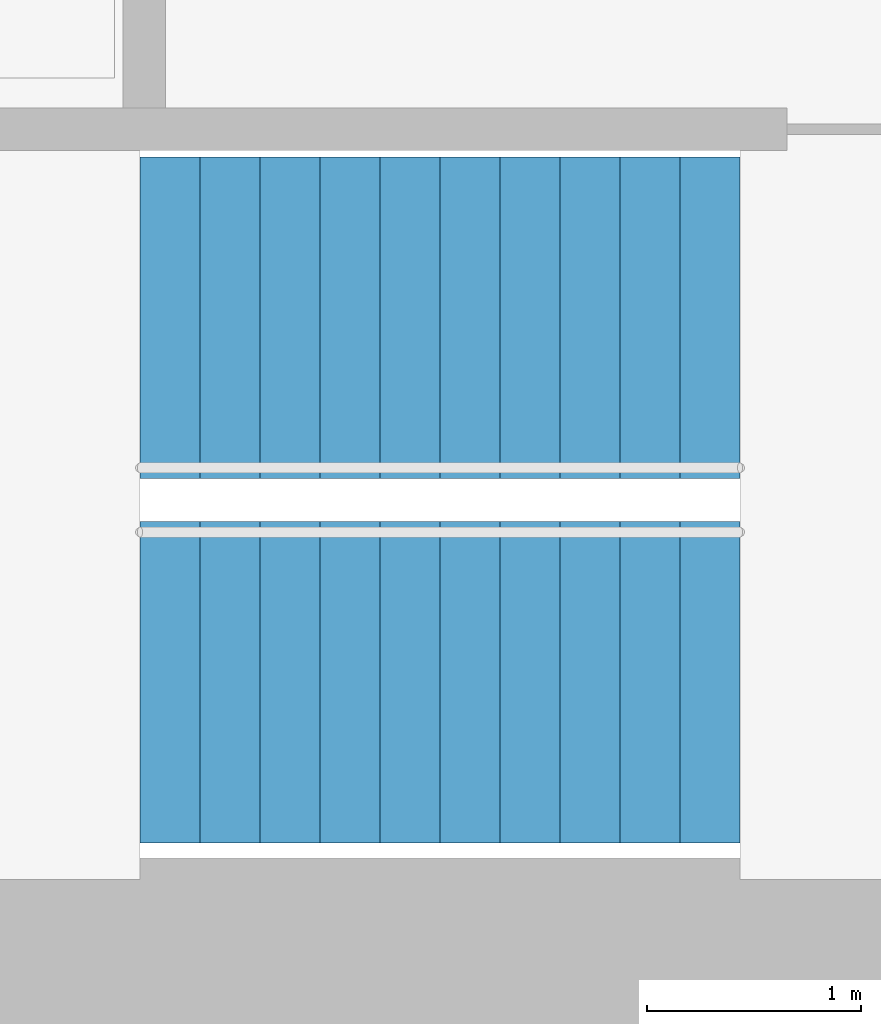
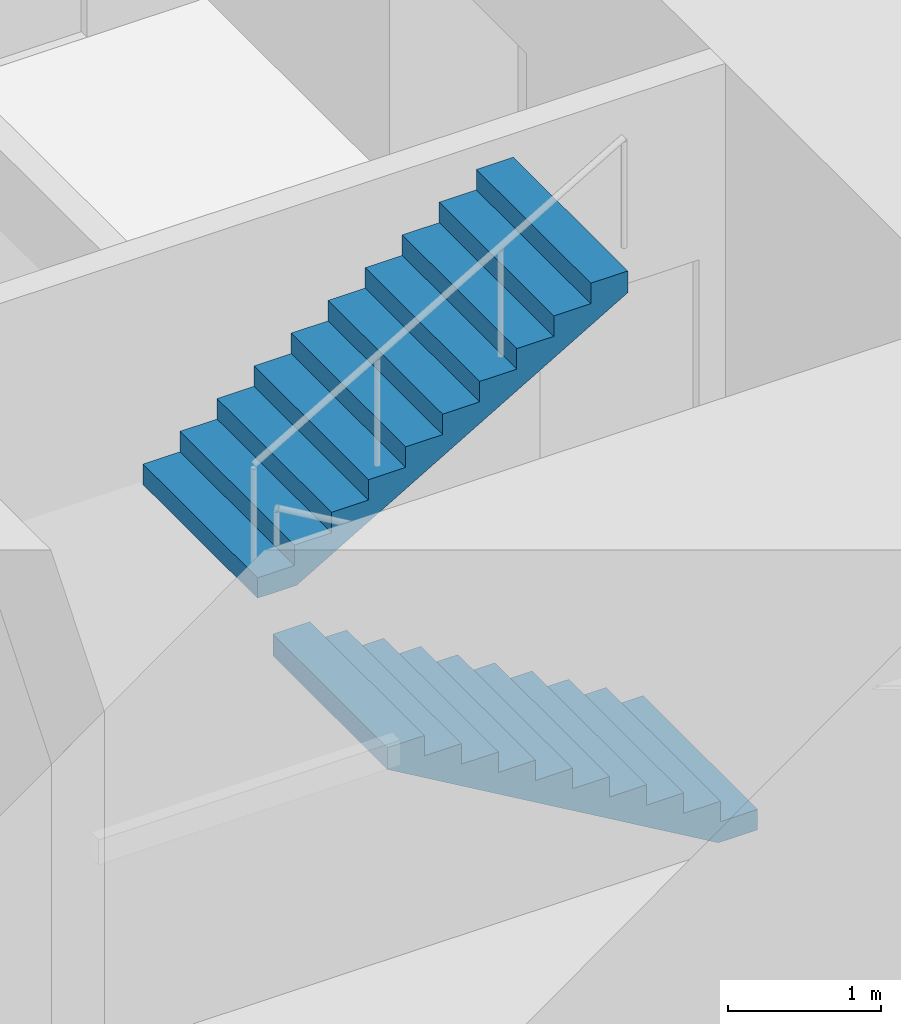
# One storey, part 14 of 15: 2 stair flights, 1 element without a shape of its own.
"""IFC4 building model written with IfcOpenShell, lengths in metres."""

from ifc_helpers import new_model, si_unit, direction, frame, origin, place, context, subcontext, project, spatial, triangles, material, type_object, element, aggregate, save


model = new_model("IFC4")

# Units and contexts
model_context = context("Model", 3, precision=1e-05, world=origin(), true_north=direction((0.0, 1.0)))
body_context = subcontext(model_context, "Body", "Model", "MODEL_VIEW")
ifc_project = project(units=[si_unit("LENGTHUNIT", "METRE"), si_unit("AREAUNIT", "SQUARE_METRE"), si_unit("VOLUMEUNIT", "CUBIC_METRE"), si_unit("PLANEANGLEUNIT", "RADIAN"), si_unit("MASSUNIT", "GRAM", prefix="KILO")], contexts=[model_context])

# Site, building, storey
site_placement = place(None, origin())
site = spatial("IfcSite", under=ifc_project, at=site_placement, CompositionType="ELEMENT")
building_placement = place(site_placement, origin())
building = spatial("IfcBuilding", under=site, at=building_placement, Name="Lantaw Convention Tower", CompositionType="ELEMENT")
storey_placement = place(building_placement, frame((0.0, 0.0, 44.199951171875)))
storey = spatial("IfcBuildingStorey", under=building, at=storey_placement, Name="L08", CompositionType="ELEMENT", Elevation=44.199951171875)

# Stair, stair flights
ifc_material = material(Name="Concrete C35/45", Category="concrete")
stair_type = type_object("IfcStairType", Name="Exit stair 1500 riser 163.64 in 2 flights", PredefinedType="HALF_TURN_STAIR", material=ifc_material)
stair_placement = place(storey_placement, origin())
stair = element("IfcStair", 1, at=stair_placement, inside=storey, type_object=stair_type, Name="Exit stair S2 L08", PredefinedType="HALF_TURN_STAIR")
stair_flight_type = type_object("IfcStairFlightType", Name="Stair flight 1500 riser 163.64", PredefinedType="STRAIGHT", material=ifc_material)
stair_flight_1_placement = place(storey_placement, frame((10.580078125, -5.97998046875, 0.0), z_axis=(0.0, 0.0, 1.0), x_axis=(-1.0, 0.0, 0.0)))
stair_flight_1 = element("IfcStairFlight", 2, at=stair_flight_1_placement, type_object=stair_flight_type, Name="S2 flight 1", NumberOfRisers=11, NumberOfTreads=10, PredefinedType="STRAIGHT", RiserHeight=0.163636364, TreadLength=0.28, context=body_context, shape_type="Tessellation", body=[
    triangles([(0.0, 0.75, 0.0), (0.0, 0.75, 0.163636364), (0.28, 0.75, 0.0), (0.28, 0.75, 0.163636364), (0.28, 0.75, 0.327272728), (0.2970904571225277, 0.75, 0.0), (0.2970904571225277, 0.75, 0.327272728), (0.56, 0.75, 0.1536484344906131), (0.56, 0.75, 0.327272728), (0.56, 0.75, 0.490909092), (0.8400000000000001, 0.75, 0.3172847984906131), (0.8400000000000001, 0.75, 0.490909092), (0.8400000000000001, 0.75, 0.654545456), (1.12, 0.75, 0.4809211624906131), (1.12, 0.75, 0.654545456), (1.12, 0.75, 0.8181818200000001), (1.4000000000000001, 0.75, 0.6445575264906132), (1.4000000000000001, 0.75, 0.8181818200000001), (1.4000000000000001, 0.75, 0.981818184), (1.6800000000000002, 0.75, 0.8081938904906131), (1.6800000000000002, 0.75, 0.981818184), (1.6800000000000002, 0.75, 1.145454548), (1.9600000000000002, 0.75, 0.9718302544906131), (1.9600000000000002, 0.75, 1.145454548), (1.9600000000000002, 0.75, 1.309090912), (2.24, 0.75, 1.135466618490613), (2.24, 0.75, 1.309090912), (2.24, 0.75, 1.472727276), (2.5200000000000005, 0.75, 1.2991029824906133), (2.5200000000000005, 0.75, 1.472727276), (2.5200000000000005, 0.75, 1.6363636400000001), (2.8000000000000003, 0.75, 1.462739346490613), (2.8000000000000003, 0.75, 1.6363636400000001), (0.0, -0.75, 0.0), (0.0, -0.75, 0.163636364), (0.28, -0.75, 0.0), (0.28, -0.75, 0.163636364), (0.28, -0.75, 0.327272728), (0.2970904571225277, -0.75, 0.0), (0.2970904571225277, -0.75, 0.327272728), (0.56, -0.75, 0.1536484344906131), (0.56, -0.75, 0.327272728), (0.56, -0.75, 0.490909092), (0.8400000000000001, -0.75, 0.3172847984906131), (0.8400000000000001, -0.75, 0.490909092), (0.8400000000000001, -0.75, 0.654545456), (1.12, -0.75, 0.4809211624906131), (1.12, -0.75, 0.654545456), (1.12, -0.75, 0.8181818200000001), (1.4000000000000001, -0.75, 0.6445575264906132), (1.4000000000000001, -0.75, 0.8181818200000001), (1.4000000000000001, -0.75, 0.981818184), (1.6800000000000002, -0.75, 0.8081938904906131), (1.6800000000000002, -0.75, 0.981818184), (1.6800000000000002, -0.75, 1.145454548), (1.9600000000000002, -0.75, 0.9718302544906131), (1.9600000000000002, -0.75, 1.145454548), (1.9600000000000002, -0.75, 1.309090912), (2.24, -0.75, 1.135466618490613), (2.24, -0.75, 1.309090912), (2.24, -0.75, 1.472727276), (2.5200000000000005, -0.75, 1.2991029824906133), (2.5200000000000005, -0.75, 1.472727276), (2.5200000000000005, -0.75, 1.6363636400000001), (2.8000000000000003, -0.75, 1.462739346490613), (2.8000000000000003, -0.75, 1.6363636400000001), (0.0, 0.15000000000000002, 0.163636364), (0.0, 0.15000000000000002, 0.0), (0.0, 0.0, 0.163636364), (0.0, 0.0, 0.0), (0.0, -0.15000000000000002, 0.163636364), (0.0, -0.15000000000000002, 0.0), (0.28, 0.15000000000000002, 0.327272728), (0.28, 0.15000000000000002, 0.163636364), (0.28, 0.0, 0.327272728), (0.28, 0.0, 0.163636364), (0.28, -0.15000000000000002, 0.327272728), (0.28, -0.15000000000000002, 0.163636364), (0.56, 0.15000000000000002, 0.490909092), (0.56, 0.15000000000000002, 0.327272728), (0.56, 0.0, 0.490909092), (0.56, 0.0, 0.327272728), (0.56, -0.15000000000000002, 0.490909092), (0.56, -0.15000000000000002, 0.327272728), (0.8400000000000001, 0.15000000000000002, 0.654545456), (0.8400000000000001, 0.15000000000000002, 0.490909092), (0.8400000000000001, 0.0, 0.654545456), (0.8400000000000001, 0.0, 0.490909092), (0.8400000000000001, -0.15000000000000002, 0.654545456), (0.8400000000000001, -0.15000000000000002, 0.490909092), (1.12, 0.15000000000000002, 0.8181818200000001), (1.12, 0.15000000000000002, 0.654545456), (1.12, 0.0, 0.8181818200000001), (1.12, 0.0, 0.654545456), (1.12, -0.15000000000000002, 0.8181818200000001), (1.12, -0.15000000000000002, 0.654545456), (1.4000000000000001, 0.15000000000000002, 0.981818184), (1.4000000000000001, 0.15000000000000002, 0.8181818200000001), (1.4000000000000001, 0.0, 0.981818184), (1.4000000000000001, 0.0, 0.8181818200000001), (1.4000000000000001, -0.15000000000000002, 0.981818184), (1.4000000000000001, -0.15000000000000002, 0.8181818200000001), (1.6800000000000002, 0.15000000000000002, 1.145454548), (1.6800000000000002, 0.15000000000000002, 0.981818184), (1.6800000000000002, 0.0, 1.145454548), (1.6800000000000002, 0.0, 0.981818184), (1.6800000000000002, -0.15000000000000002, 1.145454548), (1.6800000000000002, -0.15000000000000002, 0.981818184), (1.9600000000000002, 0.15000000000000002, 1.309090912), (1.9600000000000002, 0.15000000000000002, 1.145454548), (1.9600000000000002, 0.0, 1.309090912), (1.9600000000000002, 0.0, 1.145454548), (1.9600000000000002, -0.15000000000000002, 1.309090912), (1.9600000000000002, -0.15000000000000002, 1.145454548), (2.24, 0.15000000000000002, 1.472727276), (2.24, 0.15000000000000002, 1.309090912), (2.24, 0.0, 1.472727276), (2.24, 0.0, 1.309090912), (2.24, -0.15000000000000002, 1.472727276), (2.24, -0.15000000000000002, 1.309090912), (2.5200000000000005, 0.15000000000000002, 1.6363636400000001), (2.5200000000000005, 0.15000000000000002, 1.472727276), (2.5200000000000005, 0.0, 1.6363636400000001), (2.5200000000000005, 0.0, 1.472727276), (2.5200000000000005, -0.15000000000000002, 1.6363636400000001), (2.5200000000000005, -0.15000000000000002, 1.472727276), (0.2970904571225277, 0.15000000000000002, 0.327272728), (0.2970904571225277, 0.0, 0.327272728), (0.2970904571225277, -0.15000000000000002, 0.327272728), (2.8000000000000003, 0.15000000000000002, 1.6363636400000001), (2.8000000000000003, 0.0, 1.6363636400000001), (2.8000000000000003, -0.15000000000000002, 1.6363636400000001), (2.8000000000000003, 0.15000000000000002, 1.462739346490613), (2.8000000000000003, 0.0, 1.462739346490613), (2.8000000000000003, -0.15000000000000002, 1.462739346490613), (2.5200000000000005, 0.15000000000000002, 1.2991029824906133), (2.5200000000000005, 0.0, 1.2991029824906133), (2.5200000000000005, -0.15000000000000002, 1.2991029824906133), (2.24, 0.15000000000000002, 1.135466618490613), (2.24, 0.0, 1.135466618490613), (2.24, -0.15000000000000002, 1.135466618490613), (1.9600000000000002, 0.15000000000000002, 0.9718302544906131), (1.9600000000000002, 0.0, 0.9718302544906131), (1.9600000000000002, -0.15000000000000002, 0.9718302544906131), (1.6800000000000002, 0.15000000000000002, 0.8081938904906131), (1.6800000000000002, 0.0, 0.8081938904906131), (1.6800000000000002, -0.15000000000000002, 0.8081938904906131), (1.4000000000000001, 0.15000000000000002, 0.6445575264906132), (1.4000000000000001, 0.0, 0.6445575264906132), (1.4000000000000001, -0.15000000000000002, 0.6445575264906132), (1.12, 0.15000000000000002, 0.4809211624906131), (1.12, 0.0, 0.4809211624906131), (1.12, -0.15000000000000002, 0.4809211624906131), (0.8400000000000001, 0.15000000000000002, 0.3172847984906131), (0.8400000000000001, 0.0, 0.3172847984906131), (0.8400000000000001, -0.15000000000000002, 0.3172847984906131), (0.56, 0.15000000000000002, 0.1536484344906131), (0.56, 0.0, 0.1536484344906131), (0.56, -0.15000000000000002, 0.1536484344906131), (0.2970904571225277, 0.15000000000000002, 0.0), (0.2970904571225277, 0.0, 0.0), (0.2970904571225277, -0.15000000000000002, 0.0), (0.28, 0.15000000000000002, 0.0), (0.28, 0.0, 0.0), (0.28, -0.15000000000000002, 0.0)], [[1, 4, 3], [1, 2, 4], [3, 4, 6], [4, 7, 6], [4, 5, 7], [6, 9, 8], [6, 7, 9], [8, 9, 11], [9, 12, 11], [9, 10, 12], [11, 12, 14], [12, 15, 14], [12, 13, 15], [14, 15, 17], [15, 18, 17], [15, 16, 18], [17, 18, 20], [18, 21, 20], [18, 19, 21], [20, 21, 23], [21, 24, 23], [21, 22, 24], [23, 24, 26], [24, 27, 26], [24, 25, 27], [26, 27, 29], [27, 30, 29], [27, 28, 30], [29, 30, 32], [30, 33, 32], [30, 31, 33], [34, 36, 37], [34, 37, 35], [36, 39, 37], [37, 39, 40], [37, 40, 38], [39, 41, 42], [39, 42, 40], [41, 44, 42], [42, 44, 45], [42, 45, 43], [44, 47, 45], [45, 47, 48], [45, 48, 46], [47, 50, 48], [48, 50, 51], [48, 51, 49], [50, 53, 51], [51, 53, 54], [51, 54, 52], [53, 56, 54], [54, 56, 57], [54, 57, 55], [56, 59, 57], [57, 59, 60], [57, 60, 58], [59, 62, 60], [60, 62, 63], [60, 63, 61], [62, 65, 63], [63, 65, 66], [63, 66, 64], [1, 67, 2], [1, 68, 67], [68, 69, 67], [68, 70, 69], [70, 71, 69], [70, 72, 71], [72, 35, 71], [72, 34, 35], [4, 73, 5], [4, 74, 73], [74, 75, 73], [74, 76, 75], [76, 77, 75], [76, 78, 77], [78, 38, 77], [78, 37, 38], [9, 79, 10], [9, 80, 79], [80, 81, 79], [80, 82, 81], [82, 83, 81], [82, 84, 83], [84, 43, 83], [84, 42, 43], [12, 85, 13], [12, 86, 85], [86, 87, 85], [86, 88, 87], [88, 89, 87], [88, 90, 89], [90, 46, 89], [90, 45, 46], [15, 91, 16], [15, 92, 91], [92, 93, 91], [92, 94, 93], [94, 95, 93], [94, 96, 95], [96, 49, 95], [96, 48, 49], [18, 97, 19], [18, 98, 97], [98, 99, 97], [98, 100, 99], [100, 101, 99], [100, 102, 101], [102, 52, 101], [102, 51, 52], [21, 103, 22], [21, 104, 103], [104, 105, 103], [104, 106, 105], [106, 107, 105], [106, 108, 107], [108, 55, 107], [108, 54, 55], [24, 109, 25], [24, 110, 109], [110, 111, 109], [110, 112, 111], [112, 113, 111], [112, 114, 113], [114, 58, 113], [114, 57, 58], [27, 115, 28], [27, 116, 115], [116, 117, 115], [116, 118, 117], [118, 119, 117], [118, 120, 119], [120, 61, 119], [120, 60, 61], [30, 121, 31], [30, 122, 121], [122, 123, 121], [122, 124, 123], [124, 125, 123], [124, 126, 125], [126, 64, 125], [126, 63, 64], [2, 74, 4], [2, 67, 74], [67, 76, 74], [67, 69, 76], [69, 78, 76], [69, 71, 78], [71, 37, 78], [71, 35, 37], [5, 127, 7], [5, 73, 127], [73, 128, 127], [73, 75, 128], [75, 129, 128], [75, 77, 129], [77, 40, 129], [77, 38, 40], [7, 80, 9], [7, 127, 80], [127, 82, 80], [127, 128, 82], [128, 84, 82], [128, 129, 84], [129, 42, 84], [129, 40, 42], [10, 86, 12], [10, 79, 86], [79, 88, 86], [79, 81, 88], [81, 90, 88], [81, 83, 90], [83, 45, 90], [83, 43, 45], [13, 92, 15], [13, 85, 92], [85, 94, 92], [85, 87, 94], [87, 96, 94], [87, 89, 96], [89, 48, 96], [89, 46, 48], [16, 98, 18], [16, 91, 98], [91, 100, 98], [91, 93, 100], [93, 102, 100], [93, 95, 102], [95, 51, 102], [95, 49, 51], [19, 104, 21], [19, 97, 104], [97, 106, 104], [97, 99, 106], [99, 108, 106], [99, 101, 108], [101, 54, 108], [101, 52, 54], [22, 110, 24], [22, 103, 110], [103, 112, 110], [103, 105, 112], [105, 114, 112], [105, 107, 114], [107, 57, 114], [107, 55, 57], [25, 116, 27], [25, 109, 116], [109, 118, 116], [109, 111, 118], [111, 120, 118], [111, 113, 120], [113, 60, 120], [113, 58, 60], [28, 122, 30], [28, 115, 122], [115, 124, 122], [115, 117, 124], [117, 126, 124], [117, 119, 126], [119, 63, 126], [119, 61, 63], [31, 130, 33], [31, 121, 130], [121, 131, 130], [121, 123, 131], [123, 132, 131], [123, 125, 132], [125, 66, 132], [125, 64, 66], [33, 133, 32], [33, 130, 133], [130, 134, 133], [130, 131, 134], [131, 135, 134], [131, 132, 135], [132, 65, 135], [132, 66, 65], [32, 136, 29], [32, 133, 136], [133, 137, 136], [133, 134, 137], [134, 138, 137], [134, 135, 138], [135, 62, 138], [135, 65, 62], [29, 139, 26], [29, 136, 139], [136, 140, 139], [136, 137, 140], [137, 141, 140], [137, 138, 141], [138, 59, 141], [138, 62, 59], [26, 142, 23], [26, 139, 142], [139, 143, 142], [139, 140, 143], [140, 144, 143], [140, 141, 144], [141, 56, 144], [141, 59, 56], [23, 145, 20], [23, 142, 145], [142, 146, 145], [142, 143, 146], [143, 147, 146], [143, 144, 147], [144, 53, 147], [144, 56, 53], [20, 148, 17], [20, 145, 148], [145, 149, 148], [145, 146, 149], [146, 150, 149], [146, 147, 150], [147, 50, 150], [147, 53, 50], [17, 151, 14], [17, 148, 151], [148, 152, 151], [148, 149, 152], [149, 153, 152], [149, 150, 153], [150, 47, 153], [150, 50, 47], [14, 154, 11], [14, 151, 154], [151, 155, 154], [151, 152, 155], [152, 156, 155], [152, 153, 156], [153, 44, 156], [153, 47, 44], [11, 157, 8], [11, 154, 157], [154, 158, 157], [154, 155, 158], [155, 159, 158], [155, 156, 159], [156, 41, 159], [156, 44, 41], [8, 160, 6], [8, 157, 160], [157, 161, 160], [157, 158, 161], [158, 162, 161], [158, 159, 162], [159, 39, 162], [159, 41, 39], [6, 163, 3], [6, 160, 163], [160, 164, 163], [160, 161, 164], [161, 165, 164], [161, 162, 165], [162, 36, 165], [162, 39, 36], [3, 68, 1], [3, 163, 68], [163, 70, 68], [163, 164, 70], [164, 72, 70], [164, 165, 72], [165, 34, 72], [165, 36, 34]], closed=True),
])
stair_flight_2_placement = place(storey_placement, frame((7.780029296875, -4.280029296875, 1.800048828125), z_axis=(0.0, 0.0, 1.0), x_axis=(1.0, 0.0, 0.0)))
stair_flight_2 = element("IfcStairFlight", 3, at=stair_flight_2_placement, type_object=stair_flight_type, Name="S2 flight 2", NumberOfRisers=11, NumberOfTreads=10, PredefinedType="STRAIGHT", RiserHeight=0.163636364, TreadLength=0.28, context=body_context, shape_type="Tessellation", body=[
    triangles([(0.0, 0.75, 0.0), (0.0, 0.75, 0.163636364), (0.28, 0.75, 0.0), (0.28, 0.75, 0.163636364), (0.28, 0.75, 0.327272728), (0.2970904571225277, 0.75, 0.0), (0.2970904571225277, 0.75, 0.327272728), (0.56, 0.75, 0.1536484344906131), (0.56, 0.75, 0.327272728), (0.56, 0.75, 0.490909092), (0.8400000000000001, 0.75, 0.3172847984906131), (0.8400000000000001, 0.75, 0.490909092), (0.8400000000000001, 0.75, 0.654545456), (1.12, 0.75, 0.4809211624906131), (1.12, 0.75, 0.654545456), (1.12, 0.75, 0.8181818200000001), (1.4000000000000001, 0.75, 0.6445575264906132), (1.4000000000000001, 0.75, 0.8181818200000001), (1.4000000000000001, 0.75, 0.981818184), (1.6800000000000002, 0.75, 0.8081938904906131), (1.6800000000000002, 0.75, 0.981818184), (1.6800000000000002, 0.75, 1.145454548), (1.9600000000000002, 0.75, 0.9718302544906131), (1.9600000000000002, 0.75, 1.145454548), (1.9600000000000002, 0.75, 1.309090912), (2.24, 0.75, 1.135466618490613), (2.24, 0.75, 1.309090912), (2.24, 0.75, 1.472727276), (2.5200000000000005, 0.75, 1.2991029824906133), (2.5200000000000005, 0.75, 1.472727276), (2.5200000000000005, 0.75, 1.6363636400000001), (2.8000000000000003, 0.75, 1.462739346490613), (2.8000000000000003, 0.75, 1.6363636400000001), (0.0, -0.75, 0.0), (0.0, -0.75, 0.163636364), (0.28, -0.75, 0.0), (0.28, -0.75, 0.163636364), (0.28, -0.75, 0.327272728), (0.2970904571225277, -0.75, 0.0), (0.2970904571225277, -0.75, 0.327272728), (0.56, -0.75, 0.1536484344906131), (0.56, -0.75, 0.327272728), (0.56, -0.75, 0.490909092), (0.8400000000000001, -0.75, 0.3172847984906131), (0.8400000000000001, -0.75, 0.490909092), (0.8400000000000001, -0.75, 0.654545456), (1.12, -0.75, 0.4809211624906131), (1.12, -0.75, 0.654545456), (1.12, -0.75, 0.8181818200000001), (1.4000000000000001, -0.75, 0.6445575264906132), (1.4000000000000001, -0.75, 0.8181818200000001), (1.4000000000000001, -0.75, 0.981818184), (1.6800000000000002, -0.75, 0.8081938904906131), (1.6800000000000002, -0.75, 0.981818184), (1.6800000000000002, -0.75, 1.145454548), (1.9600000000000002, -0.75, 0.9718302544906131), (1.9600000000000002, -0.75, 1.145454548), (1.9600000000000002, -0.75, 1.309090912), (2.24, -0.75, 1.135466618490613), (2.24, -0.75, 1.309090912), (2.24, -0.75, 1.472727276), (2.5200000000000005, -0.75, 1.2991029824906133), (2.5200000000000005, -0.75, 1.472727276), (2.5200000000000005, -0.75, 1.6363636400000001), (2.8000000000000003, -0.75, 1.462739346490613), (2.8000000000000003, -0.75, 1.6363636400000001), (0.0, 0.15000000000000002, 0.163636364), (0.0, 0.15000000000000002, 0.0), (0.0, 0.0, 0.163636364), (0.0, 0.0, 0.0), (0.0, -0.15000000000000002, 0.163636364), (0.0, -0.15000000000000002, 0.0), (0.28, 0.15000000000000002, 0.327272728), (0.28, 0.15000000000000002, 0.163636364), (0.28, 0.0, 0.327272728), (0.28, 0.0, 0.163636364), (0.28, -0.15000000000000002, 0.327272728), (0.28, -0.15000000000000002, 0.163636364), (0.56, 0.15000000000000002, 0.490909092), (0.56, 0.15000000000000002, 0.327272728), (0.56, 0.0, 0.490909092), (0.56, 0.0, 0.327272728), (0.56, -0.15000000000000002, 0.490909092), (0.56, -0.15000000000000002, 0.327272728), (0.8400000000000001, 0.15000000000000002, 0.654545456), (0.8400000000000001, 0.15000000000000002, 0.490909092), (0.8400000000000001, 0.0, 0.654545456), (0.8400000000000001, 0.0, 0.490909092), (0.8400000000000001, -0.15000000000000002, 0.654545456), (0.8400000000000001, -0.15000000000000002, 0.490909092), (1.12, 0.15000000000000002, 0.8181818200000001), (1.12, 0.15000000000000002, 0.654545456), (1.12, 0.0, 0.8181818200000001), (1.12, 0.0, 0.654545456), (1.12, -0.15000000000000002, 0.8181818200000001), (1.12, -0.15000000000000002, 0.654545456), (1.4000000000000001, 0.15000000000000002, 0.981818184), (1.4000000000000001, 0.15000000000000002, 0.8181818200000001), (1.4000000000000001, 0.0, 0.981818184), (1.4000000000000001, 0.0, 0.8181818200000001), (1.4000000000000001, -0.15000000000000002, 0.981818184), (1.4000000000000001, -0.15000000000000002, 0.8181818200000001), (1.6800000000000002, 0.15000000000000002, 1.145454548), (1.6800000000000002, 0.15000000000000002, 0.981818184), (1.6800000000000002, 0.0, 1.145454548), (1.6800000000000002, 0.0, 0.981818184), (1.6800000000000002, -0.15000000000000002, 1.145454548), (1.6800000000000002, -0.15000000000000002, 0.981818184), (1.9600000000000002, 0.15000000000000002, 1.309090912), (1.9600000000000002, 0.15000000000000002, 1.145454548), (1.9600000000000002, 0.0, 1.309090912), (1.9600000000000002, 0.0, 1.145454548), (1.9600000000000002, -0.15000000000000002, 1.309090912), (1.9600000000000002, -0.15000000000000002, 1.145454548), (2.24, 0.15000000000000002, 1.472727276), (2.24, 0.15000000000000002, 1.309090912), (2.24, 0.0, 1.472727276), (2.24, 0.0, 1.309090912), (2.24, -0.15000000000000002, 1.472727276), (2.24, -0.15000000000000002, 1.309090912), (2.5200000000000005, 0.15000000000000002, 1.6363636400000001), (2.5200000000000005, 0.15000000000000002, 1.472727276), (2.5200000000000005, 0.0, 1.6363636400000001), (2.5200000000000005, 0.0, 1.472727276), (2.5200000000000005, -0.15000000000000002, 1.6363636400000001), (2.5200000000000005, -0.15000000000000002, 1.472727276), (0.2970904571225277, 0.15000000000000002, 0.327272728), (0.2970904571225277, 0.0, 0.327272728), (0.2970904571225277, -0.15000000000000002, 0.327272728), (2.8000000000000003, 0.15000000000000002, 1.6363636400000001), (2.8000000000000003, 0.0, 1.6363636400000001), (2.8000000000000003, -0.15000000000000002, 1.6363636400000001), (2.8000000000000003, 0.15000000000000002, 1.462739346490613), (2.8000000000000003, 0.0, 1.462739346490613), (2.8000000000000003, -0.15000000000000002, 1.462739346490613), (2.5200000000000005, 0.15000000000000002, 1.2991029824906133), (2.5200000000000005, 0.0, 1.2991029824906133), (2.5200000000000005, -0.15000000000000002, 1.2991029824906133), (2.24, 0.15000000000000002, 1.135466618490613), (2.24, 0.0, 1.135466618490613), (2.24, -0.15000000000000002, 1.135466618490613), (1.9600000000000002, 0.15000000000000002, 0.9718302544906131), (1.9600000000000002, 0.0, 0.9718302544906131), (1.9600000000000002, -0.15000000000000002, 0.9718302544906131), (1.6800000000000002, 0.15000000000000002, 0.8081938904906131), (1.6800000000000002, 0.0, 0.8081938904906131), (1.6800000000000002, -0.15000000000000002, 0.8081938904906131), (1.4000000000000001, 0.15000000000000002, 0.6445575264906132), (1.4000000000000001, 0.0, 0.6445575264906132), (1.4000000000000001, -0.15000000000000002, 0.6445575264906132), (1.12, 0.15000000000000002, 0.4809211624906131), (1.12, 0.0, 0.4809211624906131), (1.12, -0.15000000000000002, 0.4809211624906131), (0.8400000000000001, 0.15000000000000002, 0.3172847984906131), (0.8400000000000001, 0.0, 0.3172847984906131), (0.8400000000000001, -0.15000000000000002, 0.3172847984906131), (0.56, 0.15000000000000002, 0.1536484344906131), (0.56, 0.0, 0.1536484344906131), (0.56, -0.15000000000000002, 0.1536484344906131), (0.2970904571225277, 0.15000000000000002, 0.0), (0.2970904571225277, 0.0, 0.0), (0.2970904571225277, -0.15000000000000002, 0.0), (0.28, 0.15000000000000002, 0.0), (0.28, 0.0, 0.0), (0.28, -0.15000000000000002, 0.0)], [[1, 4, 3], [1, 2, 4], [3, 4, 6], [4, 7, 6], [4, 5, 7], [6, 9, 8], [6, 7, 9], [8, 9, 11], [9, 12, 11], [9, 10, 12], [11, 12, 14], [12, 15, 14], [12, 13, 15], [14, 15, 17], [15, 18, 17], [15, 16, 18], [17, 18, 20], [18, 21, 20], [18, 19, 21], [20, 21, 23], [21, 24, 23], [21, 22, 24], [23, 24, 26], [24, 27, 26], [24, 25, 27], [26, 27, 29], [27, 30, 29], [27, 28, 30], [29, 30, 32], [30, 33, 32], [30, 31, 33], [34, 36, 37], [34, 37, 35], [36, 39, 37], [37, 39, 40], [37, 40, 38], [39, 41, 42], [39, 42, 40], [41, 44, 42], [42, 44, 45], [42, 45, 43], [44, 47, 45], [45, 47, 48], [45, 48, 46], [47, 50, 48], [48, 50, 51], [48, 51, 49], [50, 53, 51], [51, 53, 54], [51, 54, 52], [53, 56, 54], [54, 56, 57], [54, 57, 55], [56, 59, 57], [57, 59, 60], [57, 60, 58], [59, 62, 60], [60, 62, 63], [60, 63, 61], [62, 65, 63], [63, 65, 66], [63, 66, 64], [1, 67, 2], [1, 68, 67], [68, 69, 67], [68, 70, 69], [70, 71, 69], [70, 72, 71], [72, 35, 71], [72, 34, 35], [4, 73, 5], [4, 74, 73], [74, 75, 73], [74, 76, 75], [76, 77, 75], [76, 78, 77], [78, 38, 77], [78, 37, 38], [9, 79, 10], [9, 80, 79], [80, 81, 79], [80, 82, 81], [82, 83, 81], [82, 84, 83], [84, 43, 83], [84, 42, 43], [12, 85, 13], [12, 86, 85], [86, 87, 85], [86, 88, 87], [88, 89, 87], [88, 90, 89], [90, 46, 89], [90, 45, 46], [15, 91, 16], [15, 92, 91], [92, 93, 91], [92, 94, 93], [94, 95, 93], [94, 96, 95], [96, 49, 95], [96, 48, 49], [18, 97, 19], [18, 98, 97], [98, 99, 97], [98, 100, 99], [100, 101, 99], [100, 102, 101], [102, 52, 101], [102, 51, 52], [21, 103, 22], [21, 104, 103], [104, 105, 103], [104, 106, 105], [106, 107, 105], [106, 108, 107], [108, 55, 107], [108, 54, 55], [24, 109, 25], [24, 110, 109], [110, 111, 109], [110, 112, 111], [112, 113, 111], [112, 114, 113], [114, 58, 113], [114, 57, 58], [27, 115, 28], [27, 116, 115], [116, 117, 115], [116, 118, 117], [118, 119, 117], [118, 120, 119], [120, 61, 119], [120, 60, 61], [30, 121, 31], [30, 122, 121], [122, 123, 121], [122, 124, 123], [124, 125, 123], [124, 126, 125], [126, 64, 125], [126, 63, 64], [2, 74, 4], [2, 67, 74], [67, 76, 74], [67, 69, 76], [69, 78, 76], [69, 71, 78], [71, 37, 78], [71, 35, 37], [5, 127, 7], [5, 73, 127], [73, 128, 127], [73, 75, 128], [75, 129, 128], [75, 77, 129], [77, 40, 129], [77, 38, 40], [7, 80, 9], [7, 127, 80], [127, 82, 80], [127, 128, 82], [128, 84, 82], [128, 129, 84], [129, 42, 84], [129, 40, 42], [10, 86, 12], [10, 79, 86], [79, 88, 86], [79, 81, 88], [81, 90, 88], [81, 83, 90], [83, 45, 90], [83, 43, 45], [13, 92, 15], [13, 85, 92], [85, 94, 92], [85, 87, 94], [87, 96, 94], [87, 89, 96], [89, 48, 96], [89, 46, 48], [16, 98, 18], [16, 91, 98], [91, 100, 98], [91, 93, 100], [93, 102, 100], [93, 95, 102], [95, 51, 102], [95, 49, 51], [19, 104, 21], [19, 97, 104], [97, 106, 104], [97, 99, 106], [99, 108, 106], [99, 101, 108], [101, 54, 108], [101, 52, 54], [22, 110, 24], [22, 103, 110], [103, 112, 110], [103, 105, 112], [105, 114, 112], [105, 107, 114], [107, 57, 114], [107, 55, 57], [25, 116, 27], [25, 109, 116], [109, 118, 116], [109, 111, 118], [111, 120, 118], [111, 113, 120], [113, 60, 120], [113, 58, 60], [28, 122, 30], [28, 115, 122], [115, 124, 122], [115, 117, 124], [117, 126, 124], [117, 119, 126], [119, 63, 126], [119, 61, 63], [31, 130, 33], [31, 121, 130], [121, 131, 130], [121, 123, 131], [123, 132, 131], [123, 125, 132], [125, 66, 132], [125, 64, 66], [33, 133, 32], [33, 130, 133], [130, 134, 133], [130, 131, 134], [131, 135, 134], [131, 132, 135], [132, 65, 135], [132, 66, 65], [32, 136, 29], [32, 133, 136], [133, 137, 136], [133, 134, 137], [134, 138, 137], [134, 135, 138], [135, 62, 138], [135, 65, 62], [29, 139, 26], [29, 136, 139], [136, 140, 139], [136, 137, 140], [137, 141, 140], [137, 138, 141], [138, 59, 141], [138, 62, 59], [26, 142, 23], [26, 139, 142], [139, 143, 142], [139, 140, 143], [140, 144, 143], [140, 141, 144], [141, 56, 144], [141, 59, 56], [23, 145, 20], [23, 142, 145], [142, 146, 145], [142, 143, 146], [143, 147, 146], [143, 144, 147], [144, 53, 147], [144, 56, 53], [20, 148, 17], [20, 145, 148], [145, 149, 148], [145, 146, 149], [146, 150, 149], [146, 147, 150], [147, 50, 150], [147, 53, 50], [17, 151, 14], [17, 148, 151], [148, 152, 151], [148, 149, 152], [149, 153, 152], [149, 150, 153], [150, 47, 153], [150, 50, 47], [14, 154, 11], [14, 151, 154], [151, 155, 154], [151, 152, 155], [152, 156, 155], [152, 153, 156], [153, 44, 156], [153, 47, 44], [11, 157, 8], [11, 154, 157], [154, 158, 157], [154, 155, 158], [155, 159, 158], [155, 156, 159], [156, 41, 159], [156, 44, 41], [8, 160, 6], [8, 157, 160], [157, 161, 160], [157, 158, 161], [158, 162, 161], [158, 159, 162], [159, 39, 162], [159, 41, 39], [6, 163, 3], [6, 160, 163], [160, 164, 163], [160, 161, 164], [161, 165, 164], [161, 162, 165], [162, 36, 165], [162, 39, 36], [3, 68, 1], [3, 163, 68], [163, 70, 68], [163, 164, 70], [164, 72, 70], [164, 165, 72], [165, 34, 72], [165, 36, 34]], closed=True),
])
aggregate(stair, [stair_flight_1, stair_flight_2])

save(model, "model.ifc")
